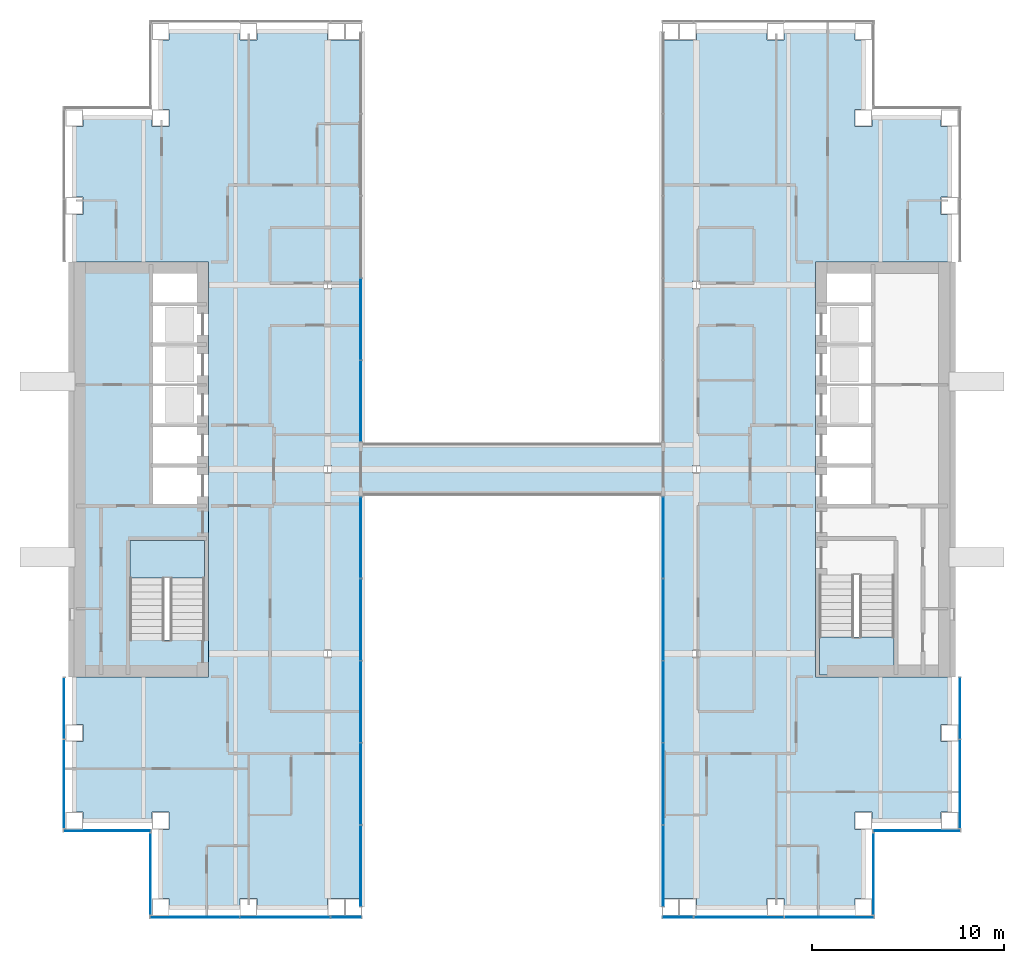
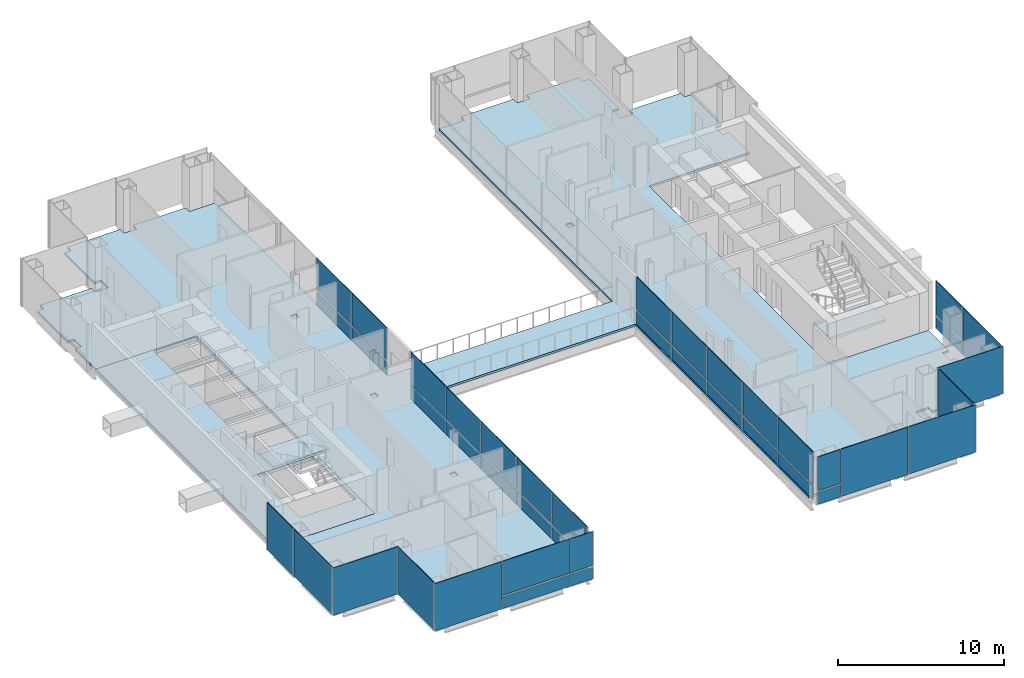
# One storey, part 10 of 17: 42 plates, 4 slabs, 13 elements without a shape of their own.
"""IFC4 building model written with IfcOpenShell, lengths in metres."""

import ifcopenshell
import ifcopenshell.guid

model = None  # the IFC model being written
_history = None  # IfcOwnerHistory: only IFC2X3 demands one
_inside = {}  # id of a spatial element -> (the spatial element, [elements in it])
_under = {}  # id of a project, library or spatial element -> (it, [spatial elements below it])
_declared = {}  # id of a project -> (the project, [libraries it declares])
_typed = {}  # id of a type object -> (the type object, [elements of that type])
_made_of = {}  # id of a material, layer set ... -> (it, [elements and type objects made of it])


def new_model(schema):
    """Start an empty IFC model of exactly this schema.

    Asked for "IFC4X3", IfcOpenShell would pick the latest addendum, in which some entities
    have other attributes; the version numbers below select the first issue.
    IFC2X3 requires an IfcOwnerHistory on every rooted entity: one is made here for all.
    """
    global model, _history
    if schema == "IFC4X3":
        model = ifcopenshell.file(schema_version=(4, 3, 0, 0))
    else:
        model = ifcopenshell.file(schema=schema)
    _inside.clear()
    _under.clear()
    _declared.clear()
    _typed.clear()
    _made_of.clear()
    _history = None
    if model.schema == "IFC2X3":
        org = make("IfcOrganization", Name="unknown")
        user = make(
            "IfcPersonAndOrganization",
            ThePerson=make("IfcPerson", FamilyName="unknown"),
            TheOrganization=org,
        )
        app = make(
            "IfcApplication",
            ApplicationDeveloper=org,
            Version="unknown",
            ApplicationFullName="unknown",
            ApplicationIdentifier="unknown",
        )
        _history = make(
            "IfcOwnerHistory",
            OwningUser=user,
            OwningApplication=app,
            ChangeAction="ADDED",
            CreationDate=0,
        )
    return model


def make(cls, **values):
    """One entity of the class cls with the attributes given. An attribute that is None is left unset."""
    return model.create_entity(
        cls, **{name: value for name, value in values.items() if value is not None}
    )


def rooted(cls, **values):
    """An entity with a GlobalId (a new one), such as an element, a storey or a relation."""
    return make(cls, GlobalId=ifcopenshell.guid.new(), OwnerHistory=_history, **values)


def si_unit(unit_type, name, prefix=None):
    """IfcSIUnit, for example si_unit("LENGTHUNIT", "METRE", prefix="MILLI")."""
    return make("IfcSIUnit", UnitType=unit_type, Prefix=prefix, Name=name)


def assignment(units):
    """IfcUnitAssignment: the units of a project."""
    return None if units is None else make("IfcUnitAssignment", Units=units)


def point(xyz):
    """IfcCartesianPoint."""
    return None if xyz is None else make("IfcCartesianPoint", Coordinates=xyz)


def direction(xyz):
    """IfcDirection."""
    return None if xyz is None else make("IfcDirection", DirectionRatios=xyz)


def frame(location, z_axis=None, x_axis=None):
    """IfcAxis2Placement3D, a coordinate frame: its origin and axes. An axis left out is left unset."""
    return make(
        "IfcAxis2Placement3D",
        Location=point(location),
        Axis=direction(z_axis),
        RefDirection=direction(x_axis),
    )


def frame_2d(location, x_axis=None):
    """IfcAxis2Placement2D, a coordinate frame in the plane: its origin and x axis."""
    return make(
        "IfcAxis2Placement2D", Location=point(location), RefDirection=direction(x_axis)
    )


def origin():
    """The frame at (0, 0, 0) with its axes left unset."""
    return frame((0.0, 0.0, 0.0))


def origin_2d():
    """The frame at (0, 0) in the plane with its x axis left unset."""
    return frame_2d((0.0, 0.0))


def place(relative_to, where):
    """IfcLocalPlacement: puts the frame where relative to a parent placement (None: the world)."""
    return make(
        "IfcLocalPlacement", PlacementRelTo=relative_to, RelativePlacement=where
    )


def context(
    kind, dimensions, precision=None, world=None, true_north=None, identifier=None
):
    """IfcGeometricRepresentationContext, for example the 3D "Model" context."""
    return make(
        "IfcGeometricRepresentationContext",
        ContextIdentifier=identifier,
        ContextType=kind,
        CoordinateSpaceDimension=dimensions,
        Precision=precision,
        WorldCoordinateSystem=world,
        TrueNorth=true_north,
    )


def subcontext(parent, identifier, kind, view, scale=None):
    """IfcGeometricRepresentationSubContext, for example "Body" below "Model"."""
    return make(
        "IfcGeometricRepresentationSubContext",
        ContextIdentifier=identifier,
        ContextType=kind,
        ParentContext=parent,
        TargetScale=scale,
        TargetView=view,
    )


def project(units=None, contexts=None):
    """IfcProject with its units and contexts."""
    return rooted(
        "IfcProject",
        Name="project",
        RepresentationContexts=contexts,
        UnitsInContext=assignment(units),
    )


def spatial(cls, under=None, at=None, **own):
    """A site, building, storey or space (cls), placed at a placement, below another one or the project."""
    s = rooted(cls, ObjectPlacement=at, **own)
    if under is not None:
        _under.setdefault(under.id(), (under, []))[1].append(s)
    return s


def polyline(points):
    """IfcPolyline through the points."""
    return make("IfcPolyline", Points=[point(p) for p in points])


def profile(cls, at=None, kind="AREA", **sizes):
    """A parametric profile (cls). Its sizes go by their IFC names, for example OverallWidth=200.0."""
    return make(cls, ProfileType=kind, Position=at, **sizes)


def rectangle(**sizes):
    """IfcRectangleProfileDef."""
    return profile("IfcRectangleProfileDef", **sizes)


def outline(outer, holes=None, kind="AREA"):
    """IfcArbitraryClosedProfileDef: a profile drawn as a closed curve; with holes, ...WithVoids."""
    if holes is None:
        return make("IfcArbitraryClosedProfileDef", ProfileType=kind, OuterCurve=outer)
    return make(
        "IfcArbitraryProfileDefWithVoids",
        ProfileType=kind,
        OuterCurve=outer,
        InnerCurves=holes,
    )


def extrude(swept, where, along, depth):
    """IfcExtrudedAreaSolid: the profile swept, set in the frame where, extruded along a direction by depth."""
    return make(
        "IfcExtrudedAreaSolid",
        SweptArea=swept,
        Position=where,
        ExtrudedDirection=direction(along),
        Depth=depth,
    )


def shape(context_of_items, identifier, shape_type, items):
    """IfcShapeRepresentation: the items that make up one representation, for example the "Body"."""
    return make(
        "IfcShapeRepresentation",
        ContextOfItems=context_of_items,
        RepresentationIdentifier=identifier,
        RepresentationType=shape_type,
        Items=items,
    )


def material(Name=None, Category=None):
    """IfcMaterial."""
    return make("IfcMaterial", Name=Name, Category=Category)


def layer(
    of_material, thickness, ventilated=None, Name=None, Category=None, Priority=None
):
    """IfcMaterialLayer: one layer of a wall or slab, of a material (None: an air gap)."""
    return make(
        "IfcMaterialLayer",
        Material=of_material,
        LayerThickness=thickness,
        IsVentilated=ventilated,
        Name=Name,
        Category=Category,
        Priority=Priority,
    )


def layer_set(layers, Name=None):
    """IfcMaterialLayerSet."""
    return make("IfcMaterialLayerSet", MaterialLayers=layers, LayerSetName=Name)


def made_of(thing, what):
    """Note that an element or type object is made of a material, layer set ...; save() writes the relation."""
    if what is not None:
        _made_of.setdefault(what.id(), (what, []))[1].append(thing)
    return thing


def type_object(cls, material=None, **own):
    """A type object (cls), such as IfcWallType, which elements share."""
    return made_of(rooted(cls, **own), material)


def element(
    cls,
    number,
    at=None,
    inside=None,
    cuts=None,
    type_object=None,
    material=None,
    context=None,
    identifier="Body",
    shape_type=None,
    held_by="IfcProductDefinitionShape",
    body=None,
    shapes=None,
    **own,
):
    """One element of the class cls, such as IfcWall. Its Tag is "e" and its number.

    at: its placement. inside: the storey or other place that contains it. cuts: it is an
    opening in that element (IfcRelVoidsElement). A single representation is given by context,
    identifier, shape_type and body (its items); several are given by shapes. held_by: the class
    of the entity that holds the representations. save() writes the other relations.
    """
    e = rooted(cls, Tag="e%d" % number, ObjectPlacement=at, **own)
    if body is not None:
        shapes = [shape(context, identifier, shape_type, body)]
    if shapes is not None:
        e.Representation = make(held_by, Representations=shapes)
    if inside is not None:
        _inside.setdefault(inside.id(), (inside, []))[1].append(e)
    if cuts is not None:
        rooted(
            "IfcRelVoidsElement", RelatingBuildingElement=cuts, RelatedOpeningElement=e
        )
    if type_object is not None:
        _typed.setdefault(type_object.id(), (type_object, []))[1].append(e)
    return made_of(e, material)


def aggregate(whole, parts):
    """IfcRelAggregates: a whole, such as a stair, and the parts it consists of."""
    return rooted("IfcRelAggregates", RelatingObject=whole, RelatedObjects=parts)


def save(model, path):
    """Write the relations noted so far, then the file.

    IfcRelAggregates (storeys below a building ...), IfcRelContainedInSpatialStructure (elements
    in a storey), IfcRelDefinesByType, IfcRelAssociatesMaterial and IfcRelDeclares: one each for
    every whole, place, type object, material and project.
    """
    for whole, parts in _under.values():
        aggregate(whole, parts)
    for where, things in _inside.values():
        rooted(
            "IfcRelContainedInSpatialStructure",
            RelatedElements=things,
            RelatingStructure=where,
        )
    for kind, things in _typed.values():
        rooted("IfcRelDefinesByType", RelatedObjects=things, RelatingType=kind)
    for what, things in _made_of.values():
        rooted("IfcRelAssociatesMaterial", RelatedObjects=things, RelatingMaterial=what)
    for by, libraries in _declared.values():
        rooted("IfcRelDeclares", RelatingContext=by, RelatedDefinitions=libraries)
    model.write(path)


model = new_model("IFC4")

# Units and contexts
model_context = context("Model", 3, precision=1e-05, world=origin(), true_north=direction((0.0, 1.0)))
body_context = subcontext(model_context, "Body", "Model", "MODEL_VIEW")
ifc_project = project(units=[si_unit("LENGTHUNIT", "METRE"), si_unit("AREAUNIT", "SQUARE_METRE"), si_unit("VOLUMEUNIT", "CUBIC_METRE"), si_unit("PLANEANGLEUNIT", "RADIAN"), si_unit("MASSUNIT", "GRAM", prefix="KILO")], contexts=[model_context])

# Site, building, storey
site_placement = place(None, origin())
site = spatial("IfcSite", under=ifc_project, at=site_placement, CompositionType="ELEMENT")
building_placement = place(site_placement, origin())
building = spatial("IfcBuilding", under=site, at=building_placement, Name="Cobrizo Arcos Hotel Tower", CompositionType="ELEMENT")
storey_placement = place(building_placement, frame((0.0, 0.0, 134.5)))
storey = spatial("IfcBuildingStorey", under=building, at=storey_placement, Name="L34", CompositionType="ELEMENT", Elevation=134.5)

# Curtain wall, plate
ifc_material_1 = material(Name="Aluminium 6063-T6 anodised bronze", Category="aluminium")
curtain_wall_type_1 = type_object("IfcCurtainWallType", Name="CW-A guest facade", PredefinedType="NOTDEFINED", material=ifc_material_1)
curtain_wall_1_placement = place(storey_placement, origin())
curtain_wall_1 = element("IfcCurtainWall", 1, at=curtain_wall_1_placement, inside=storey, type_object=curtain_wall_type_1, Name="CW-A L34 S face", PredefinedType="NOTDEFINED")
ifc_material_2 = material(Name="Glass clear laminated low-e", Category="glass")
ifc_layer_1 = layer(ifc_material_2, 0.0400390625)
ifc_layer_set_1 = layer_set([ifc_layer_1], Name="CW-A glass panel")
plate_type_1 = type_object("IfcPlateType", Name="CW-A glass panel", PredefinedType="CURTAIN_PANEL", material=ifc_layer_set_1)
plate_1_placement = place(storey_placement, frame((-8.639892578125, -23.324951171875, 0.990234375), z_axis=(0.0, 0.0, 1.0), x_axis=(1.0, 0.0, 0.0)))
plate_1 = element("IfcPlate", 2, at=plate_1_placement, type_object=plate_type_1, Name="CW-A glass panel 1249", PredefinedType="CURTAIN_PANEL", context=body_context, shape_type="SweptSolid", body=[
    extrude(rectangle(XDim=1.56005859375, YDim=0.0400390625, at=origin_2d()), origin(), (0.0, 0.0, 1.0), 2.510009765625),
])

curtain_wall_2_placement = place(storey_placement, origin())
curtain_wall_2 = element("IfcCurtainWall", 3, at=curtain_wall_2_placement, inside=storey, type_object=curtain_wall_type_1, Name="CW-A L34 S face", PredefinedType="NOTDEFINED")
plate_2_placement = place(storey_placement, frame((8.639892578125, -23.324951171875, 0.990234375), z_axis=(0.0, 0.0, 1.0), x_axis=(1.0, 0.0, 0.0)))
plate_2 = element("IfcPlate", 4, at=plate_2_placement, type_object=plate_type_1, Name="CW-A glass panel 1250", PredefinedType="CURTAIN_PANEL", context=body_context, shape_type="SweptSolid", body=[
    extrude(rectangle(XDim=1.56005859375, YDim=0.0400390625, at=origin_2d()), origin(), (0.0, 0.0, 1.0), 2.510009765625),
])

curtain_wall_3_placement = place(storey_placement, origin())
curtain_wall_3 = element("IfcCurtainWall", 5, at=curtain_wall_3_placement, inside=storey, type_object=curtain_wall_type_1, Name="CW-A L34 E face", PredefinedType="NOTDEFINED")
plate_3_placement = place(storey_placement, frame((23.324951171875, -12.4462890625, 0.990234375), z_axis=(0.0, 0.0, 1.0), x_axis=(0.0, 1.0, 0.0)))
plate_3 = element("IfcPlate", 6, at=plate_3_placement, type_object=plate_type_1, Name="CW-A glass panel 1256", PredefinedType="CURTAIN_PANEL", context=body_context, shape_type="SweptSolid", body=[
    extrude(rectangle(XDim=3.172607421875, YDim=0.0400390625, at=origin_2d()), origin(), (0.0, 0.0, 1.0), 2.510009765625),
])

# Plate
ifc_material_3 = material(Name="Aluminium composite panel pale metal", Category="aluminium")
ifc_layer_2 = layer(ifc_material_3, 0.0400390625)
ifc_layer_set_2 = layer_set([ifc_layer_2], Name="CW-A spandrel panel")
plate_type_2 = type_object("IfcPlateType", Name="CW-A spandrel panel", PredefinedType="CURTAIN_PANEL", material=ifc_layer_set_2)
plate_4_placement = place(storey_placement, frame((-16.5224609375, -23.324951171875, 0.0), z_axis=(0.0, 0.0, 1.0), x_axis=(1.0, 0.0, 0.0)))
plate_4 = element("IfcPlate", 7, at=plate_4_placement, type_object=plate_type_2, Name="CW-A spandrel panel 1247", PredefinedType="CURTAIN_PANEL", context=body_context, shape_type="SweptSolid", body=[
    extrude(rectangle(XDim=4.635009765625, YDim=0.0400390625, at=origin_2d()), origin(), (0.0, 0.0, 1.0), 3.5),
])

plate_5_placement = place(storey_placement, frame((-11.8125, -23.324951171875, 0.0), z_axis=(0.0, 0.0, 1.0), x_axis=(1.0, 0.0, 0.0)))
plate_5 = element("IfcPlate", 8, at=plate_5_placement, type_object=plate_type_2, Name="CW-A spandrel panel 1248", PredefinedType="CURTAIN_PANEL", context=body_context, shape_type="SweptSolid", body=[
    extrude(rectangle(XDim=4.6650390625, YDim=0.0400390625, at=origin_2d()), origin(), (0.0, 0.0, 1.0), 0.8701171875),
])

plate_6_placement = place(storey_placement, frame((-11.8125, -23.324951171875, 0.990234375), z_axis=(0.0, 0.0, 1.0), x_axis=(1.0, 0.0, 0.0)))
plate_6 = element("IfcPlate", 9, at=plate_6_placement, type_object=plate_type_2, Name="CW-A spandrel panel 1248", PredefinedType="CURTAIN_PANEL", context=body_context, shape_type="SweptSolid", body=[
    extrude(rectangle(XDim=4.6650390625, YDim=0.0400390625, at=origin_2d()), origin(), (0.0, 0.0, 1.0), 2.510009765625),
])

plate_7_placement = place(storey_placement, frame((-8.639892578125, -23.324951171875, 0.0), z_axis=(0.0, 0.0, 1.0), x_axis=(1.0, 0.0, 0.0)))
plate_7 = element("IfcPlate", 10, at=plate_7_placement, type_object=plate_type_2, Name="CW-A spandrel panel 1249", PredefinedType="CURTAIN_PANEL", context=body_context, shape_type="SweptSolid", body=[
    extrude(rectangle(XDim=1.56005859375, YDim=0.0400390625, at=origin_2d()), origin(), (0.0, 0.0, 1.0), 0.8701171875),
])

aggregate(curtain_wall_1, [plate_4, plate_5, plate_6, plate_7, plate_1])

plate_8_placement = place(storey_placement, frame((8.639892578125, -23.324951171875, 0.0), z_axis=(0.0, 0.0, 1.0), x_axis=(1.0, 0.0, 0.0)))
plate_8 = element("IfcPlate", 11, at=plate_8_placement, type_object=plate_type_2, Name="CW-A spandrel panel 1250", PredefinedType="CURTAIN_PANEL", context=body_context, shape_type="SweptSolid", body=[
    extrude(rectangle(XDim=1.56005859375, YDim=0.0400390625, at=origin_2d()), origin(), (0.0, 0.0, 1.0), 0.8701171875),
])

plate_9_placement = place(storey_placement, frame((11.8125, -23.324951171875, 0.0), z_axis=(0.0, 0.0, 1.0), x_axis=(1.0, 0.0, 0.0)))
plate_9 = element("IfcPlate", 12, at=plate_9_placement, type_object=plate_type_2, Name="CW-A spandrel panel 1251", PredefinedType="CURTAIN_PANEL", context=body_context, shape_type="SweptSolid", body=[
    extrude(rectangle(XDim=4.6650390625, YDim=0.0400390625, at=origin_2d()), origin(), (0.0, 0.0, 1.0), 3.5),
])

plate_10_placement = place(storey_placement, frame((16.5224609375, -23.324951171875, 0.0), z_axis=(0.0, 0.0, 1.0), x_axis=(1.0, 0.0, 0.0)))
plate_10 = element("IfcPlate", 13, at=plate_10_placement, type_object=plate_type_2, Name="CW-A spandrel panel 1252", PredefinedType="CURTAIN_PANEL", context=body_context, shape_type="SweptSolid", body=[
    extrude(rectangle(XDim=4.635009765625, YDim=0.0400390625, at=origin_2d()), origin(), (0.0, 0.0, 1.0), 3.5),
])

aggregate(curtain_wall_2, [plate_8, plate_2, plate_9, plate_10])

# Curtain wall, plate
curtain_wall_4_placement = place(storey_placement, origin())
curtain_wall_4 = element("IfcCurtainWall", 14, at=curtain_wall_4_placement, inside=storey, type_object=curtain_wall_type_1, Name="CW-A L34 E face", PredefinedType="NOTDEFINED")
plate_11_placement = place(storey_placement, frame((18.824951171875, -21.074951171875, 0.0), z_axis=(0.0, 0.0, 1.0), x_axis=(0.0, 1.0, 0.0)))
plate_11 = element("IfcPlate", 15, at=plate_11_placement, type_object=plate_type_2, Name="CW-A spandrel panel 1253", PredefinedType="CURTAIN_PANEL", context=body_context, shape_type="SweptSolid", body=[
    extrude(rectangle(XDim=4.22998046875, YDim=0.0400390625, at=origin_2d()), origin(), (0.0, 0.0, 1.0), 3.5),
])
aggregate(curtain_wall_4, [plate_11])

curtain_wall_5_placement = place(storey_placement, origin())
curtain_wall_5 = element("IfcCurtainWall", 16, at=curtain_wall_5_placement, inside=storey, type_object=curtain_wall_type_1, Name="CW-A L34 S face", PredefinedType="NOTDEFINED")
plate_12_placement = place(storey_placement, frame((21.074951171875, -18.824951171875, 0.0), z_axis=(0.0, 0.0, 1.0), x_axis=(1.0, 0.0, 0.0)))
plate_12 = element("IfcPlate", 17, at=plate_12_placement, type_object=plate_type_2, Name="CW-A spandrel panel 1254", PredefinedType="CURTAIN_PANEL", context=body_context, shape_type="SweptSolid", body=[
    extrude(rectangle(XDim=4.530029296875, YDim=0.0400390625, at=origin_2d()), origin(), (0.0, 0.0, 1.0), 3.5),
])
aggregate(curtain_wall_5, [plate_12])

# Plate
plate_13_placement = place(storey_placement, frame((23.324951171875, -16.391357421875, 0.0), z_axis=(0.0, 0.0, 1.0), x_axis=(0.0, 1.0, 0.0)))
plate_13 = element("IfcPlate", 18, at=plate_13_placement, type_object=plate_type_2, Name="CW-A spandrel panel 1255", PredefinedType="CURTAIN_PANEL", context=body_context, shape_type="SweptSolid", body=[
    extrude(rectangle(XDim=4.597412109375, YDim=0.0400390625, at=origin_2d()), origin(), (0.0, 0.0, 1.0), 3.5),
])

plate_14_placement = place(storey_placement, frame((23.324951171875, -12.4462890625, 0.0), z_axis=(0.0, 0.0, 1.0), x_axis=(0.0, 1.0, 0.0)))
plate_14 = element("IfcPlate", 19, at=plate_14_placement, type_object=plate_type_2, Name="CW-A spandrel panel 1256", PredefinedType="CURTAIN_PANEL", context=body_context, shape_type="SweptSolid", body=[
    extrude(rectangle(XDim=3.172607421875, YDim=0.0400390625, at=origin_2d()), origin(), (0.0, 0.0, 1.0), 0.8701171875),
])

aggregate(curtain_wall_3, [plate_13, plate_14, plate_3])

# Curtain wall, plates
curtain_wall_6_placement = place(storey_placement, origin())
curtain_wall_6 = element("IfcCurtainWall", 20, at=curtain_wall_6_placement, inside=storey, type_object=curtain_wall_type_1, Name="CW-A L34 W face", PredefinedType="NOTDEFINED")
plate_15_placement = place(storey_placement, frame((-23.324951171875, -12.4462890625, 0.0), z_axis=(0.0, 0.0, 1.0), x_axis=(0.0, -1.0, 0.0)))
plate_15 = element("IfcPlate", 21, at=plate_15_placement, type_object=plate_type_2, Name="CW-A spandrel panel 1271", PredefinedType="CURTAIN_PANEL", context=body_context, shape_type="SweptSolid", body=[
    extrude(rectangle(XDim=3.172607421875, YDim=0.0400390625, at=origin_2d()), origin(), (0.0, 0.0, 1.0), 3.5),
])
plate_16_placement = place(storey_placement, frame((-23.324951171875, -16.391357421875, 0.0), z_axis=(0.0, 0.0, 1.0), x_axis=(0.0, -1.0, 0.0)))
plate_16 = element("IfcPlate", 22, at=plate_16_placement, type_object=plate_type_2, Name="CW-A spandrel panel 1272", PredefinedType="CURTAIN_PANEL", context=body_context, shape_type="SweptSolid", body=[
    extrude(rectangle(XDim=4.597412109375, YDim=0.0400390625, at=origin_2d()), origin(), (0.0, 0.0, 1.0), 3.5),
])
aggregate(curtain_wall_6, [plate_15, plate_16])

# Curtain wall, plate
curtain_wall_7_placement = place(storey_placement, origin())
curtain_wall_7 = element("IfcCurtainWall", 23, at=curtain_wall_7_placement, inside=storey, type_object=curtain_wall_type_1, Name="CW-A L34 S face", PredefinedType="NOTDEFINED")
plate_17_placement = place(storey_placement, frame((-21.074951171875, -18.824951171875, 0.0), z_axis=(0.0, 0.0, 1.0), x_axis=(1.0, 0.0, 0.0)))
plate_17 = element("IfcPlate", 24, at=plate_17_placement, type_object=plate_type_2, Name="CW-A spandrel panel 1273", PredefinedType="CURTAIN_PANEL", context=body_context, shape_type="SweptSolid", body=[
    extrude(rectangle(XDim=4.530029296875, YDim=0.0400390625, at=origin_2d()), origin(), (0.0, 0.0, 1.0), 3.5),
])
aggregate(curtain_wall_7, [plate_17])

curtain_wall_8_placement = place(storey_placement, origin())
curtain_wall_8 = element("IfcCurtainWall", 25, at=curtain_wall_8_placement, inside=storey, type_object=curtain_wall_type_1, Name="CW-A L34 W face", PredefinedType="NOTDEFINED")
plate_18_placement = place(storey_placement, frame((-18.824951171875, -21.074951171875, 0.0), z_axis=(0.0, 0.0, 1.0), x_axis=(0.0, -1.0, 0.0)))
plate_18 = element("IfcPlate", 26, at=plate_18_placement, type_object=plate_type_2, Name="CW-A spandrel panel 1274", PredefinedType="CURTAIN_PANEL", context=body_context, shape_type="SweptSolid", body=[
    extrude(rectangle(XDim=4.22998046875, YDim=0.0400390625, at=origin_2d()), origin(), (0.0, 0.0, 1.0), 3.5),
])
aggregate(curtain_wall_8, [plate_18])

# Curtain wall, plates
curtain_wall_type_2 = type_object("IfcCurtainWallType", Name="CW-F void screen", PredefinedType="NOTDEFINED", material=ifc_material_1)
curtain_wall_9_placement = place(storey_placement, origin())
curtain_wall_9 = element("IfcCurtainWall", 27, at=curtain_wall_9_placement, inside=storey, type_object=curtain_wall_type_2, Name="CW-F L34 void screen B", PredefinedType="NOTDEFINED")
ifc_layer_3 = layer(ifc_material_2, 0.0400390625)
ifc_layer_set_3 = layer_set([ifc_layer_3], Name="CW-F glass panel")
plate_type_3 = type_object("IfcPlateType", Name="CW-F glass panel", PredefinedType="CURTAIN_PANEL", material=ifc_layer_set_3)
plate_19_placement = place(storey_placement, frame((7.875, -20.64501953125, 0.0), z_axis=(0.0, 0.0, 1.0), x_axis=(0.0, 1.0, 0.0)))
plate_19 = element("IfcPlate", 28, at=plate_19_placement, type_object=plate_type_3, Name="CW-F glass panel 2666", PredefinedType="CURTAIN_PANEL", context=body_context, shape_type="SweptSolid", body=[
    extrude(rectangle(XDim=4.18994140625, YDim=0.0400390625, at=origin_2d()), origin(), (0.0, 0.0, 1.0), 0.989990234375),
])
plate_20_placement = place(storey_placement, frame((7.875, -20.64501953125, 1.10986328125), z_axis=(0.0, 0.0, 1.0), x_axis=(0.0, 1.0, 0.0)))
plate_20 = element("IfcPlate", 29, at=plate_20_placement, type_object=plate_type_3, Name="CW-F glass panel 2666", PredefinedType="CURTAIN_PANEL", context=body_context, shape_type="SweptSolid", body=[
    extrude(rectangle(XDim=4.18994140625, YDim=0.0400390625, at=origin_2d()), origin(), (0.0, 0.0, 1.0), 2.389892578125),
])
plate_21_placement = place(storey_placement, frame((7.875, -16.3798828125, 0.0), z_axis=(0.0, 0.0, 1.0), x_axis=(0.0, 1.0, 0.0)))
plate_21 = element("IfcPlate", 30, at=plate_21_placement, type_object=plate_type_3, Name="CW-F glass panel 2667", PredefinedType="CURTAIN_PANEL", context=body_context, shape_type="SweptSolid", body=[
    extrude(rectangle(XDim=4.219970703125, YDim=0.0400390625, at=origin_2d()), origin(), (0.0, 0.0, 1.0), 0.989990234375),
])
plate_22_placement = place(storey_placement, frame((7.875, -16.3798828125, 1.10986328125), z_axis=(0.0, 0.0, 1.0), x_axis=(0.0, 1.0, 0.0)))
plate_22 = element("IfcPlate", 31, at=plate_22_placement, type_object=plate_type_3, Name="CW-F glass panel 2667", PredefinedType="CURTAIN_PANEL", context=body_context, shape_type="SweptSolid", body=[
    extrude(rectangle(XDim=4.219970703125, YDim=0.0400390625, at=origin_2d()), origin(), (0.0, 0.0, 1.0), 2.389892578125),
])
plate_23_placement = place(storey_placement, frame((7.875, -12.10009765625, 0.0), z_axis=(0.0, 0.0, 1.0), x_axis=(0.0, 1.0, 0.0)))
plate_23 = element("IfcPlate", 32, at=plate_23_placement, type_object=plate_type_3, Name="CW-F glass panel 2668", PredefinedType="CURTAIN_PANEL", context=body_context, shape_type="SweptSolid", body=[
    extrude(rectangle(XDim=4.219970703125, YDim=0.0400390625, at=origin_2d()), origin(), (0.0, 0.0, 1.0), 0.989990234375),
])
plate_24_placement = place(storey_placement, frame((7.875, -12.10009765625, 1.10986328125), z_axis=(0.0, 0.0, 1.0), x_axis=(0.0, 1.0, 0.0)))
plate_24 = element("IfcPlate", 33, at=plate_24_placement, type_object=plate_type_3, Name="CW-F glass panel 2668", PredefinedType="CURTAIN_PANEL", context=body_context, shape_type="SweptSolid", body=[
    extrude(rectangle(XDim=4.219970703125, YDim=0.0400390625, at=origin_2d()), origin(), (0.0, 0.0, 1.0), 2.389892578125),
])
plate_25_placement = place(storey_placement, frame((7.875, -7.820068359375, 0.0), z_axis=(0.0, 0.0, 1.0), x_axis=(0.0, 1.0, 0.0)))
plate_25 = element("IfcPlate", 34, at=plate_25_placement, type_object=plate_type_3, Name="CW-F glass panel 2669", PredefinedType="CURTAIN_PANEL", context=body_context, shape_type="SweptSolid", body=[
    extrude(rectangle(XDim=4.219970703125, YDim=0.0400390625, at=origin_2d()), origin(), (0.0, 0.0, 1.0), 0.989990234375),
])
plate_26_placement = place(storey_placement, frame((7.875, -7.820068359375, 1.10986328125), z_axis=(0.0, 0.0, 1.0), x_axis=(0.0, 1.0, 0.0)))
plate_26 = element("IfcPlate", 35, at=plate_26_placement, type_object=plate_type_3, Name="CW-F glass panel 2669", PredefinedType="CURTAIN_PANEL", context=body_context, shape_type="SweptSolid", body=[
    extrude(rectangle(XDim=4.219970703125, YDim=0.0400390625, at=origin_2d()), origin(), (0.0, 0.0, 1.0), 2.389892578125),
])
plate_27_placement = place(storey_placement, frame((7.875, -3.554931640625, 0.0), z_axis=(0.0, 0.0, 1.0), x_axis=(0.0, 1.0, 0.0)))
plate_27 = element("IfcPlate", 36, at=plate_27_placement, type_object=plate_type_3, Name="CW-F glass panel 2670", PredefinedType="CURTAIN_PANEL", context=body_context, shape_type="SweptSolid", body=[
    extrude(rectangle(XDim=4.18994140625, YDim=0.0400390625, at=origin_2d()), origin(), (0.0, 0.0, 1.0), 0.989990234375),
])
plate_28_placement = place(storey_placement, frame((7.875, -3.554931640625, 1.10986328125), z_axis=(0.0, 0.0, 1.0), x_axis=(0.0, 1.0, 0.0)))
plate_28 = element("IfcPlate", 37, at=plate_28_placement, type_object=plate_type_3, Name="CW-F glass panel 2670", PredefinedType="CURTAIN_PANEL", context=body_context, shape_type="SweptSolid", body=[
    extrude(rectangle(XDim=4.18994140625, YDim=0.0400390625, at=origin_2d()), origin(), (0.0, 0.0, 1.0), 2.389892578125),
])
aggregate(curtain_wall_9, [plate_19, plate_20, plate_21, plate_22, plate_23, plate_24, plate_25, plate_26, plate_27, plate_28])

curtain_wall_10_placement = place(storey_placement, origin())
curtain_wall_10 = element("IfcCurtainWall", 38, at=curtain_wall_10_placement, inside=storey, type_object=curtain_wall_type_2, Name="CW-F L34 void screen B", PredefinedType="NOTDEFINED")
plate_29_placement = place(storey_placement, frame((-7.875, 7.820068359375, 0.0), z_axis=(0.0, 0.0, 1.0), x_axis=(0.0, -1.0, 0.0)))
plate_29 = element("IfcPlate", 39, at=plate_29_placement, type_object=plate_type_3, Name="CW-F glass panel 2679", PredefinedType="CURTAIN_PANEL", context=body_context, shape_type="SweptSolid", body=[
    extrude(rectangle(XDim=4.219970703125, YDim=0.0400390625, at=origin_2d()), origin(), (0.0, 0.0, 1.0), 0.989990234375),
])
plate_30_placement = place(storey_placement, frame((-7.875, 7.820068359375, 1.10986328125), z_axis=(0.0, 0.0, 1.0), x_axis=(0.0, -1.0, 0.0)))
plate_30 = element("IfcPlate", 40, at=plate_30_placement, type_object=plate_type_3, Name="CW-F glass panel 2679", PredefinedType="CURTAIN_PANEL", context=body_context, shape_type="SweptSolid", body=[
    extrude(rectangle(XDim=4.219970703125, YDim=0.0400390625, at=origin_2d()), origin(), (0.0, 0.0, 1.0), 2.389892578125),
])
plate_31_placement = place(storey_placement, frame((-7.875, 3.554931640625, 0.0), z_axis=(0.0, 0.0, 1.0), x_axis=(0.0, -1.0, 0.0)))
plate_31 = element("IfcPlate", 41, at=plate_31_placement, type_object=plate_type_3, Name="CW-F glass panel 2680", PredefinedType="CURTAIN_PANEL", context=body_context, shape_type="SweptSolid", body=[
    extrude(rectangle(XDim=4.18994140625, YDim=0.0400390625, at=origin_2d()), origin(), (0.0, 0.0, 1.0), 0.989990234375),
])
plate_32_placement = place(storey_placement, frame((-7.875, 3.554931640625, 1.10986328125), z_axis=(0.0, 0.0, 1.0), x_axis=(0.0, -1.0, 0.0)))
plate_32 = element("IfcPlate", 42, at=plate_32_placement, type_object=plate_type_3, Name="CW-F glass panel 2680", PredefinedType="CURTAIN_PANEL", context=body_context, shape_type="SweptSolid", body=[
    extrude(rectangle(XDim=4.18994140625, YDim=0.0400390625, at=origin_2d()), origin(), (0.0, 0.0, 1.0), 2.389892578125),
])
aggregate(curtain_wall_10, [plate_29, plate_30, plate_31, plate_32])

curtain_wall_11_placement = place(storey_placement, origin())
curtain_wall_11 = element("IfcCurtainWall", 43, at=curtain_wall_11_placement, inside=storey, type_object=curtain_wall_type_2, Name="CW-F L34 void screen B", PredefinedType="NOTDEFINED")
plate_33_placement = place(storey_placement, frame((-7.875, -3.554931640625, 0.0), z_axis=(0.0, 0.0, 1.0), x_axis=(0.0, -1.0, 0.0)))
plate_33 = element("IfcPlate", 44, at=plate_33_placement, type_object=plate_type_3, Name="CW-F glass panel 2681", PredefinedType="CURTAIN_PANEL", context=body_context, shape_type="SweptSolid", body=[
    extrude(rectangle(XDim=4.18994140625, YDim=0.0400390625, at=origin_2d()), origin(), (0.0, 0.0, 1.0), 0.989990234375),
])
plate_34_placement = place(storey_placement, frame((-7.875, -3.554931640625, 1.10986328125), z_axis=(0.0, 0.0, 1.0), x_axis=(0.0, -1.0, 0.0)))
plate_34 = element("IfcPlate", 45, at=plate_34_placement, type_object=plate_type_3, Name="CW-F glass panel 2681", PredefinedType="CURTAIN_PANEL", context=body_context, shape_type="SweptSolid", body=[
    extrude(rectangle(XDim=4.18994140625, YDim=0.0400390625, at=origin_2d()), origin(), (0.0, 0.0, 1.0), 2.389892578125),
])
plate_35_placement = place(storey_placement, frame((-7.875, -7.820068359375, 0.0), z_axis=(0.0, 0.0, 1.0), x_axis=(0.0, -1.0, 0.0)))
plate_35 = element("IfcPlate", 46, at=plate_35_placement, type_object=plate_type_3, Name="CW-F glass panel 2682", PredefinedType="CURTAIN_PANEL", context=body_context, shape_type="SweptSolid", body=[
    extrude(rectangle(XDim=4.219970703125, YDim=0.0400390625, at=origin_2d()), origin(), (0.0, 0.0, 1.0), 0.989990234375),
])
plate_36_placement = place(storey_placement, frame((-7.875, -7.820068359375, 1.10986328125), z_axis=(0.0, 0.0, 1.0), x_axis=(0.0, -1.0, 0.0)))
plate_36 = element("IfcPlate", 47, at=plate_36_placement, type_object=plate_type_3, Name="CW-F glass panel 2682", PredefinedType="CURTAIN_PANEL", context=body_context, shape_type="SweptSolid", body=[
    extrude(rectangle(XDim=4.219970703125, YDim=0.0400390625, at=origin_2d()), origin(), (0.0, 0.0, 1.0), 2.389892578125),
])
plate_37_placement = place(storey_placement, frame((-7.875, -12.10009765625, 0.0), z_axis=(0.0, 0.0, 1.0), x_axis=(0.0, -1.0, 0.0)))
plate_37 = element("IfcPlate", 48, at=plate_37_placement, type_object=plate_type_3, Name="CW-F glass panel 2683", PredefinedType="CURTAIN_PANEL", context=body_context, shape_type="SweptSolid", body=[
    extrude(rectangle(XDim=4.219970703125, YDim=0.0400390625, at=origin_2d()), origin(), (0.0, 0.0, 1.0), 0.989990234375),
])
plate_38_placement = place(storey_placement, frame((-7.875, -12.10009765625, 1.10986328125), z_axis=(0.0, 0.0, 1.0), x_axis=(0.0, -1.0, 0.0)))
plate_38 = element("IfcPlate", 49, at=plate_38_placement, type_object=plate_type_3, Name="CW-F glass panel 2683", PredefinedType="CURTAIN_PANEL", context=body_context, shape_type="SweptSolid", body=[
    extrude(rectangle(XDim=4.219970703125, YDim=0.0400390625, at=origin_2d()), origin(), (0.0, 0.0, 1.0), 2.389892578125),
])
plate_39_placement = place(storey_placement, frame((-7.875, -16.3798828125, 0.0), z_axis=(0.0, 0.0, 1.0), x_axis=(0.0, -1.0, 0.0)))
plate_39 = element("IfcPlate", 50, at=plate_39_placement, type_object=plate_type_3, Name="CW-F glass panel 2684", PredefinedType="CURTAIN_PANEL", context=body_context, shape_type="SweptSolid", body=[
    extrude(rectangle(XDim=4.219970703125, YDim=0.0400390625, at=origin_2d()), origin(), (0.0, 0.0, 1.0), 0.989990234375),
])
plate_40_placement = place(storey_placement, frame((-7.875, -16.3798828125, 1.10986328125), z_axis=(0.0, 0.0, 1.0), x_axis=(0.0, -1.0, 0.0)))
plate_40 = element("IfcPlate", 51, at=plate_40_placement, type_object=plate_type_3, Name="CW-F glass panel 2684", PredefinedType="CURTAIN_PANEL", context=body_context, shape_type="SweptSolid", body=[
    extrude(rectangle(XDim=4.219970703125, YDim=0.0400390625, at=origin_2d()), origin(), (0.0, 0.0, 1.0), 2.389892578125),
])
plate_41_placement = place(storey_placement, frame((-7.875, -20.64501953125, 0.0), z_axis=(0.0, 0.0, 1.0), x_axis=(0.0, -1.0, 0.0)))
plate_41 = element("IfcPlate", 52, at=plate_41_placement, type_object=plate_type_3, Name="CW-F glass panel 2685", PredefinedType="CURTAIN_PANEL", context=body_context, shape_type="SweptSolid", body=[
    extrude(rectangle(XDim=4.18994140625, YDim=0.0400390625, at=origin_2d()), origin(), (0.0, 0.0, 1.0), 0.989990234375),
])
plate_42_placement = place(storey_placement, frame((-7.875, -20.64501953125, 1.10986328125), z_axis=(0.0, 0.0, 1.0), x_axis=(0.0, -1.0, 0.0)))
plate_42 = element("IfcPlate", 53, at=plate_42_placement, type_object=plate_type_3, Name="CW-F glass panel 2685", PredefinedType="CURTAIN_PANEL", context=body_context, shape_type="SweptSolid", body=[
    extrude(rectangle(XDim=4.18994140625, YDim=0.0400390625, at=origin_2d()), origin(), (0.0, 0.0, 1.0), 2.389892578125),
])
aggregate(curtain_wall_11, [plate_33, plate_34, plate_35, plate_36, plate_37, plate_38, plate_39, plate_40, plate_41, plate_42])

# Slabs
ifc_material_4 = material(Name="Concrete f'c 35 MPa", Category="concrete")
ifc_layer_4 = layer(ifc_material_4, 0.14990234375)
ifc_layer_set_4 = layer_set([ifc_layer_4], Name="Composite floor slab 150 f'c 35")
slab_type_1 = type_object("IfcSlabType", Name="Composite floor slab 150 f'c 35", PredefinedType="FLOOR", material=ifc_layer_set_4)
slab_1_placement = place(storey_placement, frame((0.0, 0.0, -0.14990234375)))
element("IfcSlab", 54, at=slab_1_placement, inside=storey, type_object=slab_type_1, Name="Floor slab S5, L34, no. 01", PredefinedType="FLOOR", context=body_context, shape_type="SweptSolid", body=[
    extrude(outline(polyline([(22.35009765625, 18.300048828125), (22.35009765625, 17.85009765625), (22.800048828125, 17.85009765625), (22.800048828125, 14.175048828125), (22.35009765625, 14.175048828125), (22.35009765625, 13.27490234375), (22.800048828125, 13.27490234375), (22.800048828125, 10.800048828125), (15.800048828125, 10.800048828125), (15.800048828125, -10.800048828125), (22.800048828125, -10.800048828125), (22.800048828125, -13.27490234375), (22.35009765625, -13.27490234375), (22.35009765625, -14.175048828125), (22.800048828125, -14.175048828125), (22.800048828125, -17.85009765625), (22.35009765625, -17.85009765625), (22.35009765625, -18.300048828125), (18.75, -18.300048828125), (18.75, -17.85009765625), (17.85009765625, -17.85009765625), (17.85009765625, -18.75), (18.300048828125, -18.75), (18.300048828125, -22.35009765625), (17.85009765625, -22.35009765625), (17.85009765625, -22.800048828125), (14.175048828125, -22.800048828125), (14.175048828125, -22.35009765625), (13.27490234375, -22.35009765625), (13.27490234375, -22.800048828125), (9.60009765625, -22.800048828125), (9.60009765625, -22.35009765625), (8.699951171875, -22.35009765625), (7.800048828125, -22.35009765625), (7.800048828125, -22.800048828125), (7.800048828125, -22.800048828125), (7.800048828125, -1.39990234375), (-7.800048828125, -1.39990234375), (-7.800048828125, -22.800048828125), (-7.800048828125, -22.800048828125), (-7.800048828125, -22.35009765625), (-8.699951171875, -22.35009765625), (-9.60009765625, -22.35009765625), (-9.60009765625, -22.800048828125), (-13.27490234375, -22.800048828125), (-13.27490234375, -22.35009765625), (-14.175048828125, -22.35009765625), (-14.175048828125, -22.800048828125), (-17.85009765625, -22.800048828125), (-17.85009765625, -22.35009765625), (-18.300048828125, -22.35009765625), (-18.300048828125, -18.75), (-17.85009765625, -18.75), (-17.85009765625, -17.85009765625), (-18.75, -17.85009765625), (-18.75, -18.300048828125), (-22.35009765625, -18.300048828125), (-22.35009765625, -17.85009765625), (-22.800048828125, -17.85009765625), (-22.800048828125, -14.175048828125), (-22.35009765625, -14.175048828125), (-22.35009765625, -13.27490234375), (-22.800048828125, -13.27490234375), (-22.800048828125, -10.800048828125), (-15.800048828125, -10.800048828125), (-15.800048828125, 10.800048828125), (-22.800048828125, 10.800048828125), (-22.800048828125, 13.27490234375), (-22.35009765625, 13.27490234375), (-22.35009765625, 14.175048828125), (-22.800048828125, 14.175048828125), (-22.800048828125, 17.85009765625), (-22.35009765625, 17.85009765625), (-22.35009765625, 18.300048828125), (-18.75, 18.300048828125), (-18.75, 17.85009765625), (-17.85009765625, 17.85009765625), (-17.85009765625, 18.75), (-18.300048828125, 18.75), (-18.300048828125, 22.35009765625), (-17.85009765625, 22.35009765625), (-17.85009765625, 22.800048828125), (-14.175048828125, 22.800048828125), (-14.175048828125, 22.35009765625), (-13.27490234375, 22.35009765625), (-13.27490234375, 22.800048828125), (-9.60009765625, 22.800048828125), (-9.60009765625, 22.35009765625), (-8.699951171875, 22.35009765625), (-7.800048828125, 22.35009765625), (-7.800048828125, 22.800048828125), (-7.800048828125, 22.800048828125), (-7.800048828125, 1.39990234375), (7.800048828125, 1.39990234375), (7.800048828125, 22.800048828125), (7.800048828125, 22.800048828125), (7.800048828125, 22.35009765625), (8.699951171875, 22.35009765625), (9.60009765625, 22.35009765625), (9.60009765625, 22.800048828125), (13.27490234375, 22.800048828125), (13.27490234375, 22.35009765625), (14.175048828125, 22.35009765625), (14.175048828125, 22.800048828125), (17.85009765625, 22.800048828125), (17.85009765625, 22.35009765625), (18.300048828125, 22.35009765625), (18.300048828125, 18.75), (17.85009765625, 18.75), (17.85009765625, 17.85009765625), (18.75, 17.85009765625), (18.75, 18.300048828125), (22.35009765625, 18.300048828125)]), holes=[polyline([(-9.79931640625, -9.79931640625), (-9.400634765625, -9.79931640625), (-9.400634765625, -9.400634765625), (-9.79931640625, -9.400634765625), (-9.79931640625, -9.79931640625)]), polyline([(-9.400634765625, -0.199462890625), (-9.400634765625, 0.199462890625), (-9.79931640625, 0.199462890625), (-9.79931640625, -0.199462890625), (-9.400634765625, -0.199462890625)]), polyline([(-9.400634765625, 9.400634765625), (-9.400634765625, 9.79931640625), (-9.79931640625, 9.79931640625), (-9.79931640625, 9.400634765625), (-9.400634765625, 9.400634765625)]), polyline([(9.400634765625, -9.79931640625), (9.79931640625, -9.79931640625), (9.79931640625, -9.400634765625), (9.400634765625, -9.400634765625), (9.400634765625, -9.79931640625)]), polyline([(9.400634765625, -0.199462890625), (9.79931640625, -0.199462890625), (9.79931640625, 0.199462890625), (9.400634765625, 0.199462890625), (9.400634765625, -0.199462890625)]), polyline([(9.79931640625, 9.400634765625), (9.79931640625, 9.79931640625), (9.400634765625, 9.79931640625), (9.400634765625, 9.400634765625), (9.79931640625, 9.400634765625)])]), origin(), (0.0, 0.0, 1.0), 0.14990234375),
])
ifc_material_5 = material(Name="Concrete f'c 50 MPa", Category="concrete")
ifc_layer_5 = layer(ifc_material_5, 0.25)
ifc_layer_set_5 = layer_set([ifc_layer_5], Name="RC core floor slab 250 f'c 50")
slab_type_2 = type_object("IfcSlabType", Name="RC core floor slab 250 f'c 50", PredefinedType="FLOOR", material=ifc_layer_set_5)
slab_2_placement = place(storey_placement, frame((0.0, 0.0, -0.25)))
element("IfcSlab", 55, at=slab_2_placement, inside=storey, type_object=slab_type_2, Name="Core floor slab CS5, west core, L34", PredefinedType="FLOOR", context=body_context, shape_type="SweptSolid", body=[
    extrude(outline(polyline([(-22.800048828125, 10.800048828125), (-15.800048828125, 10.800048828125), (-15.800048828125, -10.800048828125), (-22.800048828125, -10.800048828125), (-22.800048828125, 10.800048828125)]), holes=[polyline([(-19.89794921875, -3.701904296875), (-19.89794921875, -8.89794921875), (-16.001953125, -8.89794921875), (-16.001953125, -3.701904296875), (-19.89794921875, -3.701904296875)]), polyline([(-18.798095703125, 0.197998046875), (-18.798095703125, -1.89794921875), (-15.802001953125, -1.89794921875), (-15.802001953125, 0.197998046875), (-18.798095703125, 0.197998046875)]), polyline([(-15.802001953125, 2.298095703125), (-18.798095703125, 2.298095703125), (-18.798095703125, 0.201904296875), (-15.802001953125, 0.201904296875), (-15.802001953125, 2.298095703125)]), polyline([(-15.802001953125, 4.39794921875), (-18.798095703125, 4.39794921875), (-18.798095703125, 2.302001953125), (-15.802001953125, 2.302001953125), (-15.802001953125, 4.39794921875)]), polyline([(-18.798095703125, 6.498046875), (-18.798095703125, 4.402099609375), (-15.802001953125, 4.402099609375), (-15.802001953125, 6.498046875), (-18.798095703125, 6.498046875)]), polyline([(-15.802001953125, 8.597900390625), (-18.798095703125, 8.597900390625), (-18.798095703125, 6.501953125), (-15.802001953125, 6.501953125), (-15.802001953125, 8.597900390625)]), polyline([(-15.802001953125, 10.697998046875), (-18.798095703125, 10.697998046875), (-18.798095703125, 8.60205078125), (-15.802001953125, 8.60205078125), (-15.802001953125, 10.697998046875)])]), origin(), (0.0, 0.0, 1.0), 0.25),
])

# Stair, slab
ifc_material_6 = material(Name="Concrete f'c 40 MPa", Category="concrete")
stair_type = type_object("IfcStairType", Name="Exit stair", PredefinedType="HALF_TURN_STAIR", material=ifc_material_6)
stair_1_placement = place(storey_placement, origin())
stair_1 = element("IfcStair", 56, at=stair_1_placement, inside=storey, type_object=stair_type, Name="L34 Exit stair ST-W", PredefinedType="HALF_TURN_STAIR")
ifc_layer_6 = layer(ifc_material_6, 0.199951171875)
ifc_layer_set_6 = layer_set([ifc_layer_6], Name="Stair landing")
slab_type_3 = type_object("IfcSlabType", Name="Stair landing", PredefinedType="LANDING", material=ifc_layer_set_6)
slab_3_placement = place(storey_placement, frame((0.0, 0.0, 1.550048828125)))
slab_3 = element("IfcSlab", 57, at=slab_3_placement, type_object=slab_type_3, Name="ST-W landing 1", PredefinedType="LANDING", context=body_context, shape_type="SweptSolid", body=[
    extrude(outline(polyline([(-16.0, -5.659912109375), (-16.0, -3.699951171875), (-19.89990234375, -3.699951171875), (-19.89990234375, -5.659912109375), (-16.0, -5.659912109375)])), origin(), (0.0, 0.0, 1.0), 0.199951171875),
])
aggregate(stair_1, [slab_3])

stair_2_placement = place(storey_placement, origin())
stair_2 = element("IfcStair", 58, at=stair_2_placement, inside=storey, type_object=stair_type, Name="L34 Exit stair ST-E", PredefinedType="HALF_TURN_STAIR")
slab_4_placement = place(storey_placement, frame((0.0, 0.0, 1.550048828125)))
slab_4 = element("IfcSlab", 59, at=slab_4_placement, type_object=slab_type_3, Name="ST-E landing 1", PredefinedType="LANDING", context=body_context, shape_type="SweptSolid", body=[
    extrude(outline(polyline([(16.0, -8.739990234375), (16.0, -10.699951171875), (19.89990234375, -10.699951171875), (19.89990234375, -8.739990234375), (16.0, -8.739990234375)])), origin(), (0.0, 0.0, 1.0), 0.199951171875),
])
aggregate(stair_2, [slab_4])

save(model, "model.ifc")
